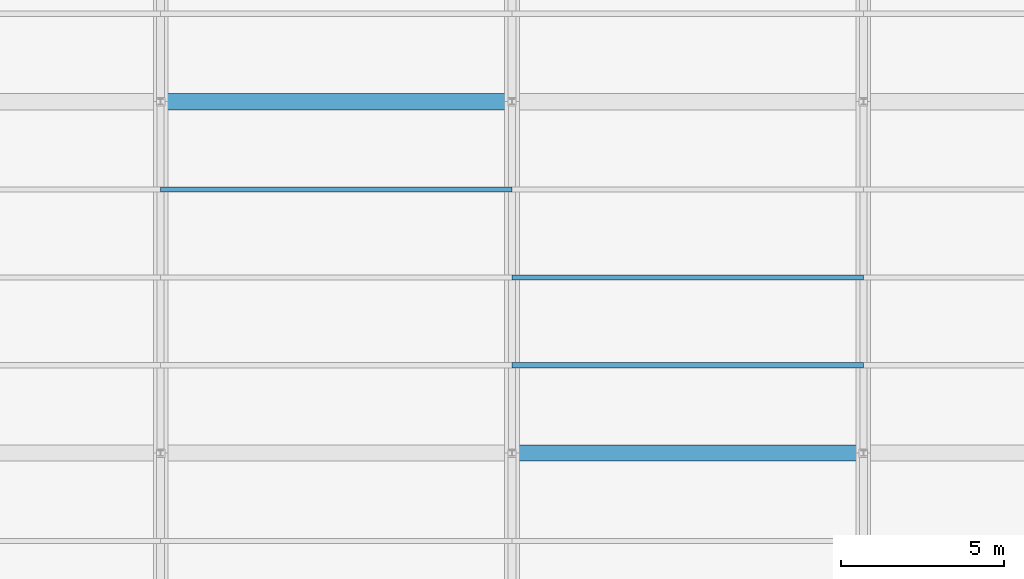
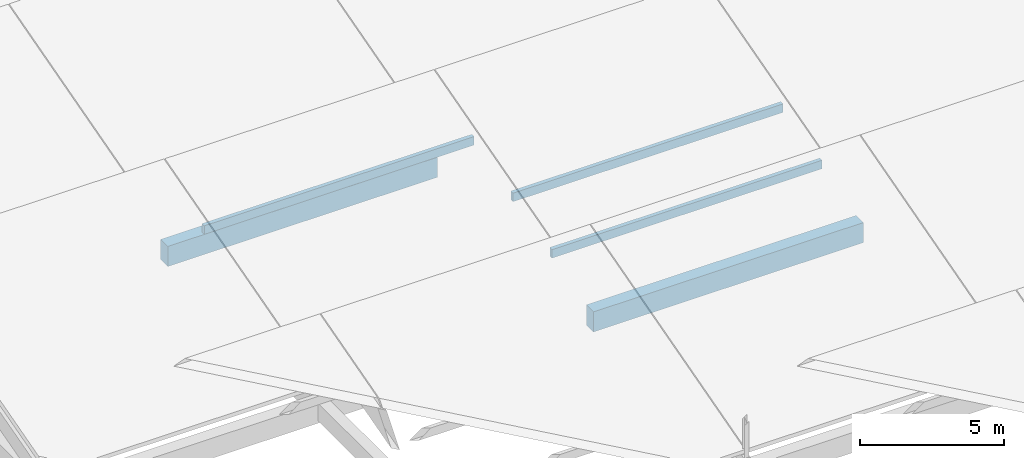
# One storey, part 20 of 112: 3 members, 2 beams.
"""IFC4 building model written with IfcOpenShell, lengths in metres."""

from ifc_helpers import new_model, si_unit, direction, frame, origin, origin_2d, place, context, subcontext, project, spatial, rectangle, extrude, material, material_profile, profile_set, type_object, element, save


model = new_model("IFC4")

# Units and contexts
model_context = context("Model", 3, precision=1e-05, world=origin(), true_north=direction((0.0, 1.0)))
body_context = subcontext(model_context, "Body", "Model", "MODEL_VIEW")
ifc_project = project(units=[si_unit("LENGTHUNIT", "METRE"), si_unit("AREAUNIT", "SQUARE_METRE"), si_unit("VOLUMEUNIT", "CUBIC_METRE"), si_unit("PLANEANGLEUNIT", "RADIAN"), si_unit("MASSUNIT", "GRAM", prefix="KILO")], contexts=[model_context])

# Site, building, storey
site_placement = place(None, origin())
site = spatial("IfcSite", under=ifc_project, at=site_placement, CompositionType="ELEMENT")
building_placement = place(site_placement, origin())
building = spatial("IfcBuilding", under=site, at=building_placement, Name="Zwinboog Wholesale Market", CompositionType="ELEMENT")
storey_placement = place(building_placement, frame((0.0, 0.0, 19.080078125)))
storey = spatial("IfcBuildingStorey", under=building, at=storey_placement, Name="Roof", CompositionType="ELEMENT", Elevation=19.080078125)

# Beams
ifc_material_1 = material(Name="Precast concrete C45/55", Category="concrete")
ifc_material_profile_1 = material_profile(ifc_material_1, rectangle(XDim=0.5, YDim=0.85009765625, at=origin_2d()), Name="PC 500x850")
ifc_profile_set_1 = profile_set([ifc_material_profile_1], Name="Precast concrete C45/55")
beam_type = type_object("IfcBeamType", Name="BT-03", PredefinedType="BEAM", material=ifc_profile_set_1)
beam_1_placement = place(storey_placement, frame((21.60009765625, 64.800048828125, -9.425048828125), z_axis=(1.0, 0.0, 0.0), x_axis=(0.0, 1.0, 0.0)))
element("IfcBeam", 1, at=beam_1_placement, inside=storey, type_object=beam_type, Name="BG-03 (BMG-Roof-0216-0648-1173)", PredefinedType="BEAM", context=body_context, shape_type="SweptSolid", body=[
    extrude(rectangle(XDim=0.5, YDim=0.85009765625, at=origin_2d()), origin(), (0.0, 0.0, 1.0), 10.7998046875),
])
beam_2_placement = place(storey_placement, frame((10.800048828125, 75.60009765625, -9.425048828125), z_axis=(1.0, 0.0, 0.0), x_axis=(0.0, 1.0, 0.0)))
element("IfcBeam", 2, at=beam_2_placement, inside=storey, type_object=beam_type, Name="BG-03 (BMG-Roof-0108-0756-1176)", PredefinedType="BEAM", context=body_context, shape_type="SweptSolid", body=[
    extrude(rectangle(XDim=0.5, YDim=0.85009765625, at=origin_2d()), origin(), (0.0, 0.0, 1.0), 10.800048828125),
])

# Members
ifc_material_2 = material(Name="Glulam GL28h", Category="wood")
ifc_material_profile_2 = material_profile(ifc_material_2, rectangle(XDim=0.159912109375, YDim=0.360107421875, at=origin_2d()), Name="GL28h 160x360")
ifc_profile_set_2 = profile_set([ifc_material_profile_2], Name="Glulam GL28h")
member_type = type_object("IfcMemberType", Name="MT-12", PredefinedType="PURLIN", material=ifc_profile_set_2)
member_placement = place(storey_placement, frame((10.800048828125, 72.89990234375, -6.773193359375), z_axis=(1.0, 0.0, 0.0), x_axis=(0.0, 1.0, 0.0)))
element("IfcMember", 3, at=member_placement, inside=storey, type_object=member_type, Name="GP-01 (MEM-Roof-0781)", PredefinedType="PURLIN", context=body_context, shape_type="SweptSolid", body=[
    extrude(rectangle(XDim=0.159912109375, YDim=0.360107421875, at=origin_2d()), origin(), (0.0, 0.0, 1.0), 10.800048828125),
])
for number, where, z_axis, x_axis, name in (
    (4, (21.60009765625, 67.5, -8.285888671875), (1.0, 0.0, 0.0), (0.0, 1.0, 0.0), "GP-01 (MEM-Roof-0784)"),
    (5, (21.60009765625, 70.199951171875, -7.535888671875), (1.0, 0.0, 0.0), (0.0, 1.0, 0.0), "GP-01 (MEM-PRL-Roof-0027)"),
):
    element("IfcMember", number, at=place(storey_placement, frame(where, z_axis=z_axis, x_axis=x_axis)), inside=storey, type_object=member_type, Name=name, PredefinedType="PURLIN", context=body_context, shape_type="SweptSolid", body=[
        extrude(rectangle(XDim=0.159912109375, YDim=0.360107421875, at=origin_2d()), origin(), (0.0, 0.0, 1.0), 10.7998046875),
    ])

save(model, "model.ifc")
